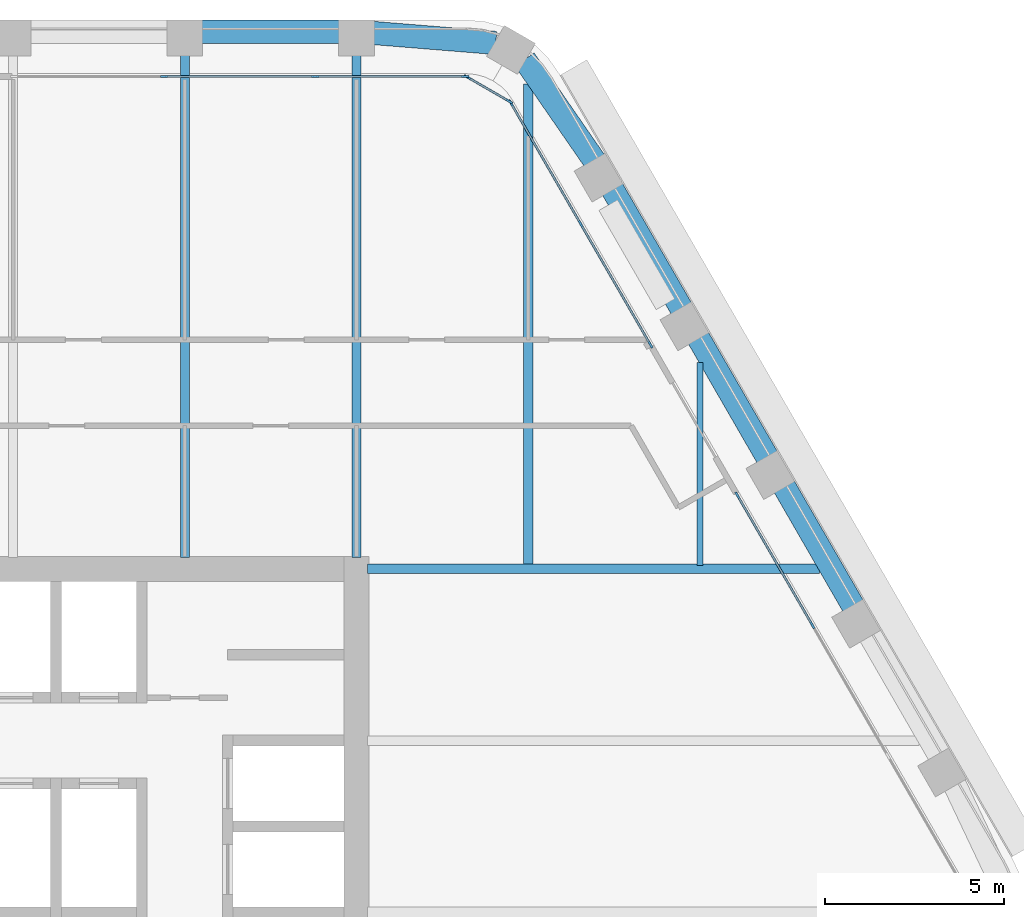
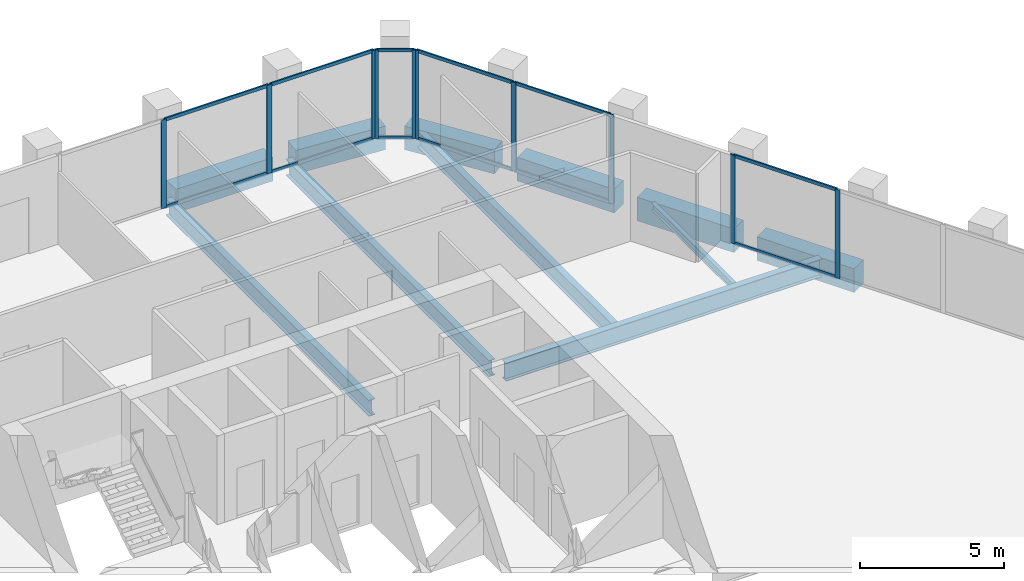
# One storey, part 6 of 15: 22 members, 11 beams, 4 elements without a shape of their own.
"""IFC4 building model written with IfcOpenShell, lengths in metres."""

from ifc_helpers import new_model, si_unit, direction, frame, origin, origin_2d, place, context, subcontext, project, spatial, rectangle, i_section, extrude, material, material_profile, profile_set, type_object, element, aggregate, save


model = new_model("IFC4")

# Units and contexts
model_context = context("Model", 3, precision=1e-05, world=origin(), true_north=direction((0.0, 1.0)))
body_context = subcontext(model_context, "Body", "Model", "MODEL_VIEW")
ifc_project = project(units=[si_unit("LENGTHUNIT", "METRE"), si_unit("AREAUNIT", "SQUARE_METRE"), si_unit("VOLUMEUNIT", "CUBIC_METRE"), si_unit("PLANEANGLEUNIT", "RADIAN"), si_unit("MASSUNIT", "GRAM", prefix="KILO")], contexts=[model_context])

# Site, building, storey
site_placement = place(None, origin())
site = spatial("IfcSite", under=ifc_project, at=site_placement, CompositionType="ELEMENT")
building_placement = place(site_placement, origin())
building = spatial("IfcBuilding", under=site, at=building_placement, Name="Kolab Exchange Tower", CompositionType="ELEMENT")
storey_placement = place(building_placement, frame((0.0, 0.0, 205.10009765625)))
storey = spatial("IfcBuildingStorey", under=building, at=storey_placement, Name="L44", CompositionType="ELEMENT", Elevation=205.10009765625)

# Beams
ifc_material_1 = material(Name="Steel S355", Category="steel")
ifc_material_profile_1 = material_profile(ifc_material_1, i_section(OverallWidth=0.1650390625, OverallDepth=0.31005859375, WebThickness=0.005859375, FlangeThickness=0.009765625, at=origin_2d()), Name="W310X39")
ifc_profile_set_1 = profile_set([ifc_material_profile_1], Name="Steel S355")
beam_type_1 = type_object("IfcBeamType", Name="FLOOR BEAM W310X39", PredefinedType="BEAM", material=ifc_profile_set_1)
beam_1_placement = place(storey_placement, frame((19.199951171875, 9.693603515625, -0.30517578125), z_axis=(0.0, 1.0, 0.0), x_axis=(-1.0, 0.0, 0.0)))
element("IfcBeam", 1, at=beam_1_placement, inside=storey, type_object=beam_type_1, Name="beam/L44/fr/023", PredefinedType="BEAM", context=body_context, shape_type="SweptSolid", body=[
    extrude(i_section(OverallWidth=0.1650390625, OverallDepth=0.31005859375, WebThickness=0.005859375, FlangeThickness=0.009765625, at=origin_2d()), origin(), (0.0, 0.0, 1.0), 5.674072265625),
])
ifc_material_profile_2 = material_profile(ifc_material_1, i_section(OverallWidth=0.25390625, OverallDepth=0.68408203125, WebThickness=0.012451171875, FlangeThickness=0.018798828125, at=origin_2d()), Name="W690X140")
ifc_profile_set_2 = profile_set([ifc_material_profile_2], Name="Steel S355")
beam_type_2 = type_object("IfcBeamType", Name="FLOOR BEAM W690X140", PredefinedType="BEAM", material=ifc_profile_set_2)
for number, where, z_axis, x_axis, name in (
    (2, (4.800048828125, 9.909912109375, -0.4921875), (0.0, 1.0, 0.0), (-1.0, 0.0, 0.0), "beam/L44/fr/014"),
    (3, (9.60009765625, 9.909912109375, -0.4921875), (0.0, 1.0, 0.0), (-1.0, 0.0, 0.0), "beam/L44/fr/016"),
):
    element("IfcBeam", number, at=place(storey_placement, frame(where, z_axis=z_axis, x_axis=x_axis)), inside=storey, type_object=beam_type_2, Name=name, PredefinedType="BEAM", context=body_context, shape_type="SweptSolid", body=[
        extrude(i_section(OverallWidth=0.25390625, OverallDepth=0.68408203125, WebThickness=0.012451171875, FlangeThickness=0.018798828125, at=origin_2d()), origin(), (0.0, 0.0, 1.0), 14.071533203125),
    ])
beam_2_placement = place(storey_placement, frame((14.39990234375, 9.693603515625, -0.4921875), z_axis=(0.0, 1.0, 0.0), x_axis=(-1.0, 0.0, 0.0)))
element("IfcBeam", 4, at=beam_2_placement, inside=storey, type_object=beam_type_2, Name="beam/L44/fr/021", PredefinedType="BEAM", context=body_context, shape_type="SweptSolid", body=[
    extrude(i_section(OverallWidth=0.25390625, OverallDepth=0.68408203125, WebThickness=0.012451171875, FlangeThickness=0.018798828125, at=origin_2d()), origin(), (0.0, 0.0, 1.0), 13.462158203125),
])
ifc_material_profile_3 = material_profile(ifc_material_1, i_section(OverallWidth=0.26708984375, OverallDepth=0.761962890625, WebThickness=0.014404296875, FlangeThickness=0.021484375, at=origin_2d()), Name="W760X173")
ifc_profile_set_3 = profile_set([ifc_material_profile_3], Name="Steel S355")
beam_type_3 = type_object("IfcBeamType", Name="FLOOR GIRDER W760X173", PredefinedType="BEAM", material=ifc_profile_set_3)
beam_3_placement = place(storey_placement, frame((9.909912109375, 9.60009765625, -0.531005859375), z_axis=(1.0, 0.0, 0.0), x_axis=(0.0, 1.0, 0.0)))
element("IfcBeam", 5, at=beam_3_placement, inside=storey, type_object=beam_type_3, Name="beam/L44/gd/003", PredefinedType="BEAM", context=body_context, shape_type="SweptSolid", body=[
    extrude(i_section(OverallWidth=0.26708984375, OverallDepth=0.761962890625, WebThickness=0.014404296875, FlangeThickness=0.021484375, at=origin_2d()), origin(), (0.0, 0.0, 1.0), 12.636962890625),
])
ifc_material_2 = material(Name="Concrete C60/75", Category="concrete")
ifc_material_profile_4 = material_profile(ifc_material_2, rectangle(XDim=0.64990234375, YDim=1.0, at=origin_2d()), Name="RC650X1000")
ifc_profile_set_4 = profile_set([ifc_material_profile_4], Name="Concrete C60/75")
beam_type_4 = type_object("IfcBeamType", Name="SPANDREL BEAM 650X1000 C60/75", PredefinedType="BEAM", material=ifc_profile_set_4)
beam_4_placement = place(storey_placement, frame((5.260009765625, 24.616455078125, -0.650146484375), z_axis=(1.0, 0.0, 0.0), x_axis=(0.0, 1.0, 0.0)))
element("IfcBeam", 6, at=beam_4_placement, inside=storey, type_object=beam_type_4, Name="beam/L44/sp/F1-05", PredefinedType="BEAM", context=body_context, shape_type="SweptSolid", body=[
    extrude(rectangle(XDim=0.64990234375, YDim=1.0, at=origin_2d()), origin(), (0.0, 0.0, 1.0), 3.8798828125),
])
for number, where, z_axis, x_axis, name in (
    (7, (10.06005859375, 24.5791015625, -0.650146484375), (0.996708497182, -0.081068931445, 0.0), (0.081068931445, 0.996708497182, 0.0), "beam/L44/sp/F1-06"),
    (8, (14.29736328125, 23.8359375, -0.650146484375), (0.568572281073, -0.822633309073, 0.0), (0.822633309073, 0.568572281073, 0.0), "beam/L44/sp/F2-01"),
):
    element("IfcBeam", number, at=place(storey_placement, frame(where, z_axis=z_axis, x_axis=x_axis)), inside=storey, type_object=beam_type_4, Name=name, PredefinedType="BEAM", context=body_context, shape_type="SweptSolid", body=[
        extrude(rectangle(XDim=0.64990234375, YDim=1.0, at=origin_2d()), origin(), (0.0, 0.0, 1.0), 3.445068359375),
    ])
beam_5_placement = place(storey_placement, frame((16.74853515625, 20.2236328125, -0.650146484375), z_axis=(0.499996613652, -0.866027358884, 0.0), x_axis=(0.866027358884, 0.499996613652, 0.0)))
element("IfcBeam", 9, at=beam_5_placement, inside=storey, type_object=beam_type_4, Name="beam/L44/sp/F2-02", PredefinedType="BEAM", context=body_context, shape_type="SweptSolid", body=[
    extrude(rectangle(XDim=0.64990234375, YDim=1.0, at=origin_2d()), origin(), (0.0, 0.0, 1.0), 3.8798828125),
])
beam_6_placement = place(storey_placement, frame((19.1484375, 16.06689453125, -0.650146484375), z_axis=(0.50001655835, -0.866015843605, 0.0), x_axis=(0.866015843605, 0.50001655835, 0.0)))
element("IfcBeam", 10, at=beam_6_placement, inside=storey, type_object=beam_type_4, Name="beam/L44/sp/F2-03", PredefinedType="BEAM", context=body_context, shape_type="SweptSolid", body=[
    extrude(rectangle(XDim=0.64990234375, YDim=1.0, at=origin_2d()), origin(), (0.0, 0.0, 1.0), 3.880126953125),
])
beam_7_placement = place(storey_placement, frame((21.548583984375, 11.909912109375, -0.650146484375), z_axis=(0.499996613652, -0.866027358884, 0.0), x_axis=(0.866027358884, 0.499996613652, 0.0)))
element("IfcBeam", 11, at=beam_7_placement, inside=storey, type_object=beam_type_4, Name="beam/L44/sp/F2-04", PredefinedType="BEAM", context=body_context, shape_type="SweptSolid", body=[
    extrude(rectangle(XDim=0.64990234375, YDim=1.0, at=origin_2d()), origin(), (0.0, 0.0, 1.0), 3.8798828125),
])

# Curtain wall, members
ifc_material_3 = material(Name="Aluminium EN AW-6063 T6", Category="aluminium")
curtain_wall_type = type_object("IfcCurtainWallType", Name="UNITISED UPPER MID ZONE CURTAIN WALL", PredefinedType="NOTDEFINED", material=ifc_material_3)
curtain_wall_1_placement = place(storey_placement, origin())
curtain_wall_1 = element("IfcCurtainWall", 12, at=curtain_wall_1_placement, inside=storey, type_object=curtain_wall_type, Name="cw/L44/F1-2", PredefinedType="NOTDEFINED")
ifc_material_profile_5 = material_profile(ifc_material_3, rectangle(XDim=0.06005859375, YDim=0.199951171875, at=origin_2d()), Name="RECT 60X200")
ifc_profile_set_5 = profile_set([ifc_material_profile_5], Name="Aluminium EN AW-6063 T6")
member_type_1 = type_object("IfcMemberType", Name="UNITISED UPPER MID ZONE MULLION 60 X 200", PredefinedType="MULLION", material=ifc_profile_set_5)
member_1_placement = place(storey_placement, frame((4.22265625, 23.361572265625, 0.0), z_axis=(0.0, 0.0, 1.0), x_axis=(0.0, 1.0, 0.0)))
member_1 = element("IfcMember", 13, at=member_1_placement, type_object=member_type_1, Name="CW3 mullion 2", PredefinedType="MULLION", context=body_context, shape_type="SweptSolid", body=[
    extrude(rectangle(XDim=0.06005859375, YDim=0.199951171875, at=origin_2d()), origin(), (0.0, 0.0, 1.0), 3.75),
])
member_2_placement = place(storey_placement, frame((8.4453125, 23.361572265625, 0.0), z_axis=(0.0, 0.0, 1.0), x_axis=(0.0, 1.0, 0.0)))
member_2 = element("IfcMember", 14, at=member_2_placement, type_object=member_type_1, Name="CW3 mullion 3", PredefinedType="MULLION", context=body_context, shape_type="SweptSolid", body=[
    extrude(rectangle(XDim=0.06005859375, YDim=0.199951171875, at=origin_2d()), origin(), (0.0, 0.0, 1.0), 3.75),
])
member_3_placement = place(storey_placement, frame((12.637939453125, 23.361572265625, 0.0), z_axis=(0.0, 0.0, 1.0), x_axis=(0.0, 1.0, 0.0)))
member_3 = element("IfcMember", 15, at=member_3_placement, type_object=member_type_1, Name="CW3 mullion 4", PredefinedType="MULLION", context=body_context, shape_type="SweptSolid", body=[
    extrude(rectangle(XDim=0.06005859375, YDim=0.199951171875, at=origin_2d()), origin(), (0.0, 0.0, 1.0), 3.75),
])

curtain_wall_2_placement = place(storey_placement, origin())
curtain_wall_2 = element("IfcCurtainWall", 16, at=curtain_wall_2_placement, inside=storey, type_object=curtain_wall_type, Name="cw/L44/F2-1", PredefinedType="NOTDEFINED")
member_4_placement = place(storey_placement, frame((13.91259765625, 22.62548828125, 0.0), z_axis=(0.0, 0.0, 1.0), x_axis=(0.866025385493, 0.500000031681, 0.0)))
member_4 = element("IfcMember", 17, at=member_4_placement, type_object=member_type_1, Name="CW3 mullion 1", PredefinedType="MULLION", context=body_context, shape_type="SweptSolid", body=[
    extrude(rectangle(XDim=0.06005859375, YDim=0.199951171875, at=origin_2d()), origin(), (0.0, 0.0, 1.0), 3.75),
])
member_5_placement = place(storey_placement, frame((15.86474609375, 19.24462890625, 0.0), z_axis=(0.0, 0.0, 1.0), x_axis=(0.866025385493, 0.500000031681, 0.0)))
member_5 = element("IfcMember", 18, at=member_5_placement, type_object=member_type_1, Name="CW3 mullion 2", PredefinedType="MULLION", context=body_context, shape_type="SweptSolid", body=[
    extrude(rectangle(XDim=0.06005859375, YDim=0.199951171875, at=origin_2d()), origin(), (0.0, 0.0, 1.0), 3.75),
])
member_6_placement = place(storey_placement, frame((17.816650390625, 15.86376953125, 0.0), z_axis=(0.0, 0.0, 1.0), x_axis=(0.866025385493, 0.500000031681, 0.0)))
member_6 = element("IfcMember", 19, at=member_6_placement, type_object=member_type_1, Name="CW3 mullion 3", PredefinedType="MULLION", context=body_context, shape_type="SweptSolid", body=[
    extrude(rectangle(XDim=0.06005859375, YDim=0.199951171875, at=origin_2d()), origin(), (0.0, 0.0, 1.0), 3.75),
])

curtain_wall_3_placement = place(storey_placement, origin())
curtain_wall_3 = element("IfcCurtainWall", 20, at=curtain_wall_3_placement, inside=storey, type_object=curtain_wall_type, Name="cw/L44/F2-2", PredefinedType="NOTDEFINED")
member_7_placement = place(storey_placement, frame((20.24658203125, 11.65478515625, 0.0), z_axis=(0.0, 0.0, 1.0), x_axis=(0.866025427826, 0.499999958358, 0.0)))
member_7 = element("IfcMember", 21, at=member_7_placement, type_object=member_type_1, Name="CW3 mullion 1", PredefinedType="MULLION", context=body_context, shape_type="SweptSolid", body=[
    extrude(rectangle(XDim=0.06005859375, YDim=0.199951171875, at=origin_2d()), origin(), (0.0, 0.0, 1.0), 3.75),
])
member_8_placement = place(storey_placement, frame((22.343017578125, 8.02392578125, 0.0), z_axis=(0.0, 0.0, 1.0), x_axis=(0.866025427826, 0.499999958358, 0.0)))
member_8 = element("IfcMember", 22, at=member_8_placement, type_object=member_type_1, Name="CW3 mullion 2", PredefinedType="MULLION", context=body_context, shape_type="SweptSolid", body=[
    extrude(rectangle(XDim=0.06005859375, YDim=0.199951171875, at=origin_2d()), origin(), (0.0, 0.0, 1.0), 3.75),
])

curtain_wall_4_placement = place(storey_placement, origin())
curtain_wall_4 = element("IfcCurtainWall", 23, at=curtain_wall_4_placement, inside=storey, type_object=curtain_wall_type, Name="cw/L44/F1F2-corner", PredefinedType="NOTDEFINED")
member_9_placement = place(storey_placement, frame((12.69384765625, 23.346435546875, 0.0), z_axis=(0.0, 0.0, 1.0), x_axis=(0.50000002237, 0.866025390869, 0.0)))
member_9 = element("IfcMember", 24, at=member_9_placement, type_object=member_type_1, Name="CW3 mullion 1", PredefinedType="MULLION", context=body_context, shape_type="SweptSolid", body=[
    extrude(rectangle(XDim=0.06005859375, YDim=0.199951171875, at=origin_2d()), origin(), (0.0, 0.0, 1.0), 3.75),
])
member_10_placement = place(storey_placement, frame((13.871826171875, 22.66650390625, 0.0), z_axis=(0.0, 0.0, 1.0), x_axis=(0.50000002237, 0.866025390869, 0.0)))
member_10 = element("IfcMember", 25, at=member_10_placement, type_object=member_type_1, Name="CW3 mullion 2", PredefinedType="MULLION", context=body_context, shape_type="SweptSolid", body=[
    extrude(rectangle(XDim=0.06005859375, YDim=0.199951171875, at=origin_2d()), origin(), (0.0, 0.0, 1.0), 3.75),
])

# Member
ifc_material_profile_6 = material_profile(ifc_material_3, rectangle(XDim=0.06005859375, YDim=0.139892578125, at=origin_2d()), Name="RECT 60X140")
ifc_profile_set_6 = profile_set([ifc_material_profile_6], Name="Aluminium EN AW-6063 T6")
member_type_2 = type_object("IfcMemberType", Name="UNITISED UPPER MID ZONE TRANSOM 60 X 140", PredefinedType="USERDEFINED", material=ifc_profile_set_6)
member_11_placement = place(storey_placement, frame((4.252685546875, 23.361572265625, 0.02978515625), z_axis=(1.0, 0.0, 0.0), x_axis=(0.0, 1.0, 0.0)))
member_11 = element("IfcMember", 26, at=member_11_placement, type_object=member_type_2, Name="CW3 transom 2.1", ObjectType="TRANSOM", PredefinedType="USERDEFINED", context=body_context, shape_type="SweptSolid", body=[
    extrude(rectangle(XDim=0.06005859375, YDim=0.139892578125, at=origin_2d()), origin(), (0.0, 0.0, 1.0), 4.16259765625),
])

member_12_placement = place(storey_placement, frame((4.252685546875, 23.361572265625, 3.719970703125), z_axis=(1.0, 0.0, 0.0), x_axis=(0.0, 1.0, 0.0)))
member_12 = element("IfcMember", 27, at=member_12_placement, type_object=member_type_2, Name="CW3 transom 2.2", ObjectType="TRANSOM", PredefinedType="USERDEFINED", context=body_context, shape_type="SweptSolid", body=[
    extrude(rectangle(XDim=0.06005859375, YDim=0.139892578125, at=origin_2d()), origin(), (0.0, 0.0, 1.0), 4.16259765625),
])

member_13_placement = place(storey_placement, frame((8.475341796875, 23.361572265625, 0.02978515625), z_axis=(1.0, 0.0, 0.0), x_axis=(0.0, 1.0, 0.0)))
member_13 = element("IfcMember", 28, at=member_13_placement, type_object=member_type_2, Name="CW3 transom 3.1", ObjectType="TRANSOM", PredefinedType="USERDEFINED", context=body_context, shape_type="SweptSolid", body=[
    extrude(rectangle(XDim=0.06005859375, YDim=0.139892578125, at=origin_2d()), origin(), (0.0, 0.0, 1.0), 4.132568359375),
])

member_14_placement = place(storey_placement, frame((8.475341796875, 23.361572265625, 3.719970703125), z_axis=(1.0, 0.0, 0.0), x_axis=(0.0, 1.0, 0.0)))
member_14 = element("IfcMember", 29, at=member_14_placement, type_object=member_type_2, Name="CW3 transom 3.2", ObjectType="TRANSOM", PredefinedType="USERDEFINED", context=body_context, shape_type="SweptSolid", body=[
    extrude(rectangle(XDim=0.06005859375, YDim=0.139892578125, at=origin_2d()), origin(), (0.0, 0.0, 1.0), 4.132568359375),
])

aggregate(curtain_wall_1, [member_1, member_2, member_3, member_11, member_12, member_13, member_14])

member_15_placement = place(storey_placement, frame((13.927734375, 22.599609375, 0.02978515625), z_axis=(0.499964356602, -0.866045981532, 0.0), x_axis=(0.866045981532, 0.499964356602, 0.0)))
member_15 = element("IfcMember", 30, at=member_15_placement, type_object=member_type_2, Name="CW3 transom 1.1", ObjectType="TRANSOM", PredefinedType="USERDEFINED", context=body_context, shape_type="SweptSolid", body=[
    extrude(rectangle(XDim=0.06005859375, YDim=0.139892578125, at=origin_2d()), origin(), (0.0, 0.0, 1.0), 3.843994140625),
])

member_16_placement = place(storey_placement, frame((13.927734375, 22.599609375, 3.719970703125), z_axis=(0.499964356602, -0.866045981532, 0.0), x_axis=(0.866045981532, 0.499964356602, 0.0)))
member_16 = element("IfcMember", 31, at=member_16_placement, type_object=member_type_2, Name="CW3 transom 1.2", ObjectType="TRANSOM", PredefinedType="USERDEFINED", context=body_context, shape_type="SweptSolid", body=[
    extrude(rectangle(XDim=0.06005859375, YDim=0.139892578125, at=origin_2d()), origin(), (0.0, 0.0, 1.0), 3.843994140625),
])

member_17_placement = place(storey_placement, frame((15.879638671875, 19.21875, 0.02978515625), z_axis=(0.500011990396, -0.866018481016, 0.0), x_axis=(0.866018481016, 0.500011990396, 0.0)))
member_17 = element("IfcMember", 32, at=member_17_placement, type_object=member_type_2, Name="CW3 transom 2.1", ObjectType="TRANSOM", PredefinedType="USERDEFINED", context=body_context, shape_type="SweptSolid", body=[
    extrude(rectangle(XDim=0.06005859375, YDim=0.139892578125, at=origin_2d()), origin(), (0.0, 0.0, 1.0), 3.84423828125),
])

member_18_placement = place(storey_placement, frame((15.879638671875, 19.21875, 3.719970703125), z_axis=(0.500011990396, -0.866018481016, 0.0), x_axis=(0.866018481016, 0.500011990396, 0.0)))
member_18 = element("IfcMember", 33, at=member_18_placement, type_object=member_type_2, Name="CW3 transom 2.2", ObjectType="TRANSOM", PredefinedType="USERDEFINED", context=body_context, shape_type="SweptSolid", body=[
    extrude(rectangle(XDim=0.06005859375, YDim=0.139892578125, at=origin_2d()), origin(), (0.0, 0.0, 1.0), 3.84423828125),
])

aggregate(curtain_wall_2, [member_4, member_5, member_6, member_15, member_16, member_17, member_18])

member_19_placement = place(storey_placement, frame((20.26171875, 11.62890625, 0.02978515625), z_axis=(0.500001996123, -0.866024251319, 0.0), x_axis=(0.866024251319, 0.500001996123, 0.0)))
member_19 = element("IfcMember", 34, at=member_19_placement, type_object=member_type_2, Name="CW3 transom 1.1", ObjectType="TRANSOM", PredefinedType="USERDEFINED", context=body_context, shape_type="SweptSolid", body=[
    extrude(rectangle(XDim=0.06005859375, YDim=0.139892578125, at=origin_2d()), origin(), (0.0, 0.0, 1.0), 4.1328125),
])

member_20_placement = place(storey_placement, frame((20.26171875, 11.62890625, 3.719970703125), z_axis=(0.500001996123, -0.866024251319, 0.0), x_axis=(0.866024251319, 0.500001996123, 0.0)))
member_20 = element("IfcMember", 35, at=member_20_placement, type_object=member_type_2, Name="CW3 transom 1.2", ObjectType="TRANSOM", PredefinedType="USERDEFINED", context=body_context, shape_type="SweptSolid", body=[
    extrude(rectangle(XDim=0.06005859375, YDim=0.139892578125, at=origin_2d()), origin(), (0.0, 0.0, 1.0), 4.1328125),
])

aggregate(curtain_wall_3, [member_7, member_8, member_19, member_20])

member_21_placement = place(storey_placement, frame((12.719970703125, 23.33154296875, 0.02978515625), z_axis=(0.86603858612, -0.49997716683, 0.0), x_axis=(0.49997716683, 0.86603858612, 0.0)))
member_21 = element("IfcMember", 36, at=member_21_placement, type_object=member_type_2, Name="CW3 transom 1.1", ObjectType="TRANSOM", PredefinedType="USERDEFINED", context=body_context, shape_type="SweptSolid", body=[
    extrude(rectangle(XDim=0.06005859375, YDim=0.139892578125, at=origin_2d()), origin(), (0.0, 0.0, 1.0), 1.2998046875),
])

member_22_placement = place(storey_placement, frame((12.719970703125, 23.33154296875, 3.719970703125), z_axis=(0.86603858612, -0.49997716683, 0.0), x_axis=(0.49997716683, 0.86603858612, 0.0)))
member_22 = element("IfcMember", 37, at=member_22_placement, type_object=member_type_2, Name="CW3 transom 1.2", ObjectType="TRANSOM", PredefinedType="USERDEFINED", context=body_context, shape_type="SweptSolid", body=[
    extrude(rectangle(XDim=0.06005859375, YDim=0.139892578125, at=origin_2d()), origin(), (0.0, 0.0, 1.0), 1.2998046875),
])

aggregate(curtain_wall_4, [member_9, member_10, member_21, member_22])

save(model, "model.ifc")
